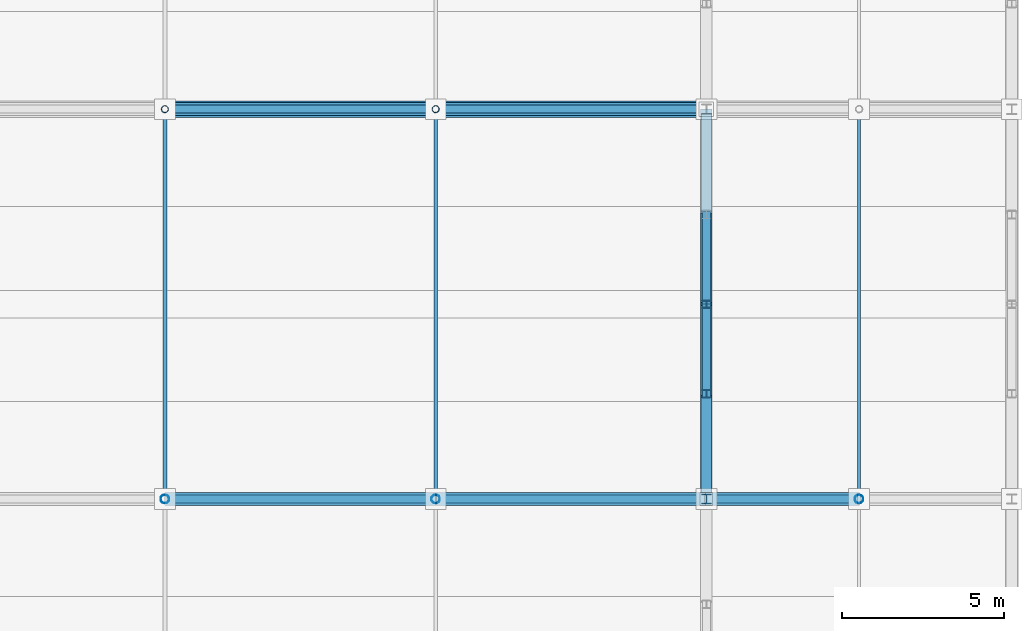
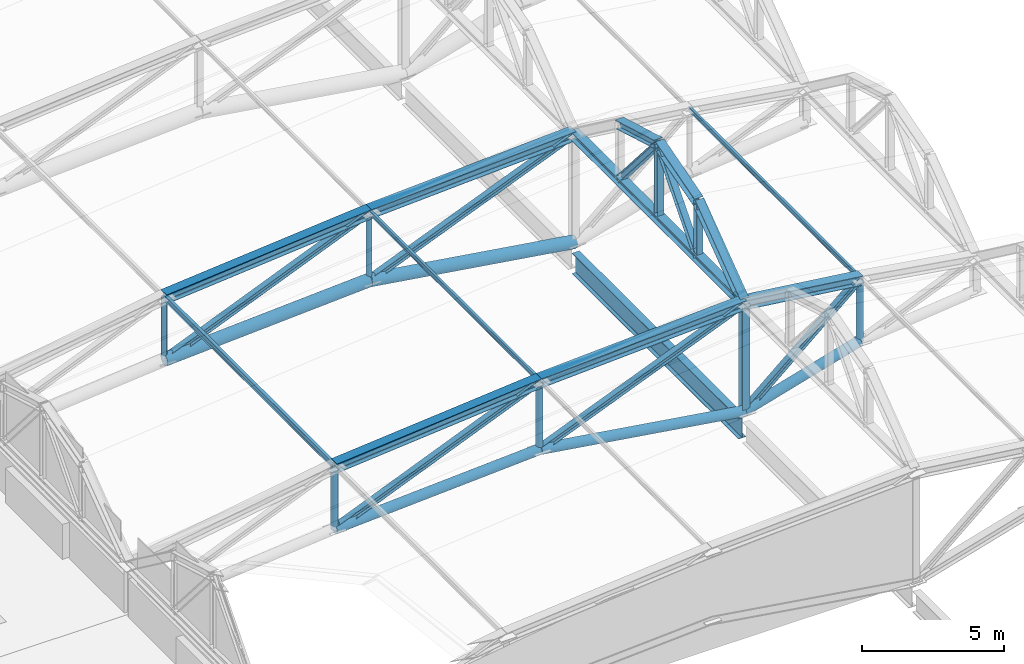
# One storey, part 14 of 117: 32 members, 1 beam.
"""IFC4 building model written with IfcOpenShell, lengths in metres."""

from ifc_helpers import new_model, si_unit, direction, frame, origin, origin_2d, place, context, subcontext, project, spatial, hollow_circle, i_section, extrude, material, material_profile, profile_set, type_object, element, save


model = new_model("IFC4")

# Units and contexts
model_context = context("Model", 3, precision=1e-05, world=origin(), true_north=direction((0.0, 1.0)))
body_context = subcontext(model_context, "Body", "Model", "MODEL_VIEW")
ifc_project = project(units=[si_unit("LENGTHUNIT", "METRE"), si_unit("AREAUNIT", "SQUARE_METRE"), si_unit("VOLUMEUNIT", "CUBIC_METRE"), si_unit("PLANEANGLEUNIT", "RADIAN"), si_unit("MASSUNIT", "GRAM", prefix="KILO")], contexts=[model_context])

# Site, building, storey
site_placement = place(None, origin())
site = spatial("IfcSite", under=ifc_project, at=site_placement, CompositionType="ELEMENT")
building_placement = place(site_placement, origin())
building = spatial("IfcBuilding", under=site, at=building_placement, Name="Kazenohara Klinker Stadium", CompositionType="ELEMENT")
storey_placement = place(building_placement, frame((0.0, 0.0, 31.199951171875)))
storey = spatial("IfcBuildingStorey", under=building, at=storey_placement, Name="RF", CompositionType="ELEMENT", Elevation=31.199951171875)

# Members
ifc_material = material(Name="Steel S355", Category="steel")
ifc_material_profile_1 = material_profile(ifc_material, i_section(OverallWidth=0.25, OverallDepth=0.25, WebThickness=0.009033203125, FlangeThickness=0.013916015625, FilletRadius=0.012939453125, at=origin_2d()), Name="H-250x250x9x14")
ifc_profile_set_1 = profile_set([ifc_material_profile_1], Name="Steel S355")
member_type_1 = type_object("IfcMemberType", Name="MEM-BRC02", PredefinedType="BRACE", material=ifc_profile_set_1)
member_1_placement = place(storey_placement, frame((32.333251953125, 60.0, 0.75), z_axis=(0.923953834256, 0.0, 0.382504002808), x_axis=(0.0, 1.0, 0.0)))
element("IfcMember", 1, at=member_1_placement, inside=storey, type_object=member_type_1, Name="ROOF TRUSS RT-W02 web diagonal 2", PredefinedType="BRACE", context=body_context, shape_type="SweptSolid", body=[
    extrude(i_section(OverallWidth=0.25, OverallDepth=0.25, WebThickness=0.009033203125, FlangeThickness=0.013916015625, FilletRadius=0.012939453125, at=origin_2d()), origin(), (0.0, 0.0, 1.0), 9.019287109375),
])
member_2_placement = place(storey_placement, frame((40.666748046875, 60.0, 1.25), z_axis=(0.925893541001, 0.0, 0.377784529503), x_axis=(0.0, 1.0, 0.0)))
element("IfcMember", 2, at=member_2_placement, inside=storey, type_object=member_type_1, Name="ROOF TRUSS RT-W02 web diagonal 3", PredefinedType="BRACE", context=body_context, shape_type="SweptSolid", body=[
    extrude(i_section(OverallWidth=0.25, OverallDepth=0.25, WebThickness=0.009033203125, FlangeThickness=0.013916015625, FilletRadius=0.012939453125, at=origin_2d()), origin(), (0.0, 0.0, 1.0), 9.000244140625),
])
member_3_placement = place(storey_placement, frame((49.0, 60.0, -0.02001953125), z_axis=(0.755945561544, 0.0, 0.65463448426), x_axis=(0.0, 1.0, 0.0)))
element("IfcMember", 3, at=member_3_placement, inside=storey, type_object=member_type_1, Name="ROOF TRUSS RT-W02 web diagonal 4", PredefinedType="BRACE", context=body_context, shape_type="SweptSolid", body=[
    extrude(i_section(OverallWidth=0.25, OverallDepth=0.25, WebThickness=0.009033203125, FlangeThickness=0.013916015625, FilletRadius=0.012939453125, at=origin_2d()), origin(), (0.0, 0.0, 1.0), 6.21728515625),
])
member_4_placement = place(storey_placement, frame((32.333251953125, 72.0, 0.75), z_axis=(0.923953834256, 0.0, 0.382504002808), x_axis=(0.0, 1.0, 0.0)))
element("IfcMember", 4, at=member_4_placement, inside=storey, type_object=member_type_1, Name="ROOF TRUSS RT-W03 web diagonal 2", PredefinedType="BRACE", context=body_context, shape_type="SweptSolid", body=[
    extrude(i_section(OverallWidth=0.25, OverallDepth=0.25, WebThickness=0.009033203125, FlangeThickness=0.013916015625, FilletRadius=0.012939453125, at=origin_2d()), origin(), (0.0, 0.0, 1.0), 9.019287109375),
])
member_5_placement = place(storey_placement, frame((40.666748046875, 72.0, 1.25), z_axis=(0.925893541001, 0.0, 0.377784529503), x_axis=(0.0, 1.0, 0.0)))
element("IfcMember", 5, at=member_5_placement, inside=storey, type_object=member_type_1, Name="ROOF TRUSS RT-W03 web diagonal 3", PredefinedType="BRACE", context=body_context, shape_type="SweptSolid", body=[
    extrude(i_section(OverallWidth=0.25, OverallDepth=0.25, WebThickness=0.009033203125, FlangeThickness=0.013916015625, FilletRadius=0.012939453125, at=origin_2d()), origin(), (0.0, 0.0, 1.0), 9.000244140625),
])
ifc_material_profile_2 = material_profile(ifc_material, i_section(OverallWidth=0.39990234375, OverallDepth=0.39990234375, WebThickness=0.012939453125, FlangeThickness=0.02099609375, FilletRadius=0.02197265625, at=origin_2d()), Name="H-400x400x13x21")
ifc_profile_set_2 = profile_set([ifc_material_profile_2], Name="Steel S355")
member_type_2 = type_object("IfcMemberType", Name="MEM-CHD01", PredefinedType="CHORD", material=ifc_profile_set_2)
member_6_placement = place(storey_placement, frame((32.333251953125, 60.0, 3.449951171875), z_axis=(0.995974595139, 0.0, 0.08963596286), x_axis=(0.0, 1.0, 0.0)))
element("IfcMember", 6, at=member_6_placement, inside=storey, type_object=member_type_2, Name="ROOF TRUSS RT-W02 top arched chord 2", PredefinedType="CHORD", context=body_context, shape_type="SweptSolid", body=[
    extrude(i_section(OverallWidth=0.39990234375, OverallDepth=0.39990234375, WebThickness=0.012939453125, FlangeThickness=0.02099609375, FilletRadius=0.02197265625, at=origin_2d()), origin(), (0.0, 0.0, 1.0), 8.3671875),
])
member_7_placement = place(storey_placement, frame((40.666748046875, 60.0, 4.199951171875), z_axis=(0.99854389216, 0.0, 0.053945300359), x_axis=(0.0, 1.0, 0.0)))
element("IfcMember", 7, at=member_7_placement, inside=storey, type_object=member_type_2, Name="ROOF TRUSS RT-W02 top arched chord 3", PredefinedType="CHORD", context=body_context, shape_type="SweptSolid", body=[
    extrude(i_section(OverallWidth=0.39990234375, OverallDepth=0.39990234375, WebThickness=0.012939453125, FlangeThickness=0.02099609375, FilletRadius=0.02197265625, at=origin_2d()), origin(), (0.0, 0.0, 1.0), 8.345458984375),
])
member_8_placement = place(storey_placement, frame((49.0, 60.0, 4.650146484375), z_axis=(0.99194702514, 0.0, -0.126653461524), x_axis=(0.0, 1.0, 0.0)))
element("IfcMember", 8, at=member_8_placement, inside=storey, type_object=member_type_2, Name="ROOF TRUSS RT-W02 top arched chord 4", PredefinedType="CHORD", context=body_context, shape_type="SweptSolid", body=[
    extrude(i_section(OverallWidth=0.39990234375, OverallDepth=0.39990234375, WebThickness=0.012939453125, FlangeThickness=0.02099609375, FilletRadius=0.02197265625, at=origin_2d()), origin(), (0.0, 0.0, 1.0), 4.738037109375),
])
member_9_placement = place(storey_placement, frame((32.333251953125, 72.0, 3.449951171875), z_axis=(0.995974595139, 0.0, 0.08963596286), x_axis=(0.0, 1.0, 0.0)))
element("IfcMember", 9, at=member_9_placement, inside=storey, type_object=member_type_2, Name="ROOF TRUSS RT-W03 top arched chord 2", PredefinedType="CHORD", context=body_context, shape_type="SweptSolid", body=[
    extrude(i_section(OverallWidth=0.39990234375, OverallDepth=0.39990234375, WebThickness=0.012939453125, FlangeThickness=0.02099609375, FilletRadius=0.02197265625, at=origin_2d()), origin(), (0.0, 0.0, 1.0), 8.3671875),
])
member_10_placement = place(storey_placement, frame((40.666748046875, 72.0, 4.199951171875), z_axis=(0.99854389216, 0.0, 0.053945300359), x_axis=(0.0, 1.0, 0.0)))
element("IfcMember", 10, at=member_10_placement, inside=storey, type_object=member_type_2, Name="ROOF TRUSS RT-W03 top arched chord 3", PredefinedType="CHORD", context=body_context, shape_type="SweptSolid", body=[
    extrude(i_section(OverallWidth=0.39990234375, OverallDepth=0.39990234375, WebThickness=0.012939453125, FlangeThickness=0.02099609375, FilletRadius=0.02197265625, at=origin_2d()), origin(), (0.0, 0.0, 1.0), 8.345458984375),
])
ifc_material_profile_3 = material_profile(ifc_material, i_section(OverallWidth=0.35009765625, OverallDepth=0.35009765625, WebThickness=0.011962890625, FlangeThickness=0.01904296875, FilletRadius=0.012939453125, at=origin_2d()), Name="H-350x350x12x19")
ifc_profile_set_3 = profile_set([ifc_material_profile_3], Name="Steel S355")
member_type_3 = type_object("IfcMemberType", Name="MEM-CHD02", PredefinedType="CHORD", material=ifc_profile_set_3)
member_11_placement = place(storey_placement, frame((49.0, 60.0, 4.650146484375), z_axis=(0.0, 1.0, 0.0), x_axis=(-1.0, 0.0, 0.0)))
element("IfcMember", 11, at=member_11_placement, inside=storey, type_object=member_type_3, Name="Barrel arch tie chord TC02 W-02-N3", PredefinedType="CHORD", context=body_context, shape_type="SweptSolid", body=[
    extrude(i_section(OverallWidth=0.35009765625, OverallDepth=0.35009765625, WebThickness=0.011962890625, FlangeThickness=0.01904296875, FilletRadius=0.012939453125, at=origin_2d()), origin(), (0.0, 0.0, 1.0), 12.0),
])
member_12_placement = place(storey_placement, frame((49.0, 60.0, 4.650146484375), z_axis=(0.0, 0.803567919639, 0.595213069856), x_axis=(-1.0, 0.0, 0.0)))
element("IfcMember", 12, at=member_12_placement, inside=storey, type_object=member_type_3, Name="Barrel arch top rib TC02 W-02-N3-S1", PredefinedType="CHORD", context=body_context, shape_type="SweptSolid", body=[
    extrude(i_section(OverallWidth=0.35009765625, OverallDepth=0.35009765625, WebThickness=0.011962890625, FlangeThickness=0.01904296875, FilletRadius=0.012939453125, at=origin_2d()), origin(), (0.0, 0.0, 1.0), 4.031982421875),
])
for number, where, z_axis, x_axis, name in (
    (13, (49.0, 63.239990234375, 7.050048828125), (0.0, 0.960462085918, 0.27841081429), (-1.0, 0.0, 0.0), "Barrel arch top rib TC02 W-02-N3-S2"),
    (14, (49.0, 66.0, 7.85009765625), (0.0, 0.960462085918, -0.27841081429), (-1.0, 0.0, 0.0), "Barrel arch top rib TC02 W-02-N3-S3"),
):
    element("IfcMember", number, at=place(storey_placement, frame(where, z_axis=z_axis, x_axis=x_axis)), inside=storey, type_object=member_type_3, Name=name, PredefinedType="CHORD", context=body_context, shape_type="SweptSolid", body=[
        extrude(i_section(OverallWidth=0.35009765625, OverallDepth=0.35009765625, WebThickness=0.011962890625, FlangeThickness=0.01904296875, FilletRadius=0.012939453125, at=origin_2d()), origin(), (0.0, 0.0, 1.0), 2.87353515625),
    ])
ifc_material_profile_4 = material_profile(ifc_material, hollow_circle(Radius=0.203125, WallThickness=0.011962890625, at=origin_2d()), Name="CHS-406.4x12")
ifc_profile_set_4 = profile_set([ifc_material_profile_4], Name="Steel S355")
member_type_4 = type_object("IfcMemberType", Name="MEM-CHD03", PredefinedType="CHORD", material=ifc_profile_set_4)
member_13_placement = place(storey_placement, frame((32.333251953125, 60.0, 0.75), z_axis=(0.998204915398, 0.0, 0.059891125175), x_axis=(0.0, 1.0, 0.0)))
element("IfcMember", 15, at=member_13_placement, inside=storey, type_object=member_type_4, Name="ROOF TRUSS RT-W02 bottom arched chord 2", PredefinedType="CHORD", context=body_context, shape_type="SweptSolid", body=[
    extrude(hollow_circle(Radius=0.203125, WallThickness=0.011962890625, at=origin_2d()), origin(), (0.0, 0.0, 1.0), 8.348388671875),
])
member_14_placement = place(storey_placement, frame((40.666748046875, 60.0, 1.25), z_axis=(0.988585006916, 0.0, -0.15066414338), x_axis=(0.0, 1.0, 0.0)))
element("IfcMember", 16, at=member_14_placement, inside=storey, type_object=member_type_4, Name="ROOF TRUSS RT-W02 bottom arched chord 3", PredefinedType="CHORD", context=body_context, shape_type="SweptSolid", body=[
    extrude(hollow_circle(Radius=0.203125, WallThickness=0.011962890625, at=origin_2d()), origin(), (0.0, 0.0, 1.0), 8.429443359375),
])
member_15_placement = place(storey_placement, frame((49.0, 60.0, -0.02001953125), z_axis=(0.960038530088, 0.0, 0.279867863012), x_axis=(0.0, 1.0, 0.0)))
element("IfcMember", 17, at=member_15_placement, inside=storey, type_object=member_type_4, Name="ROOF TRUSS RT-W02 bottom arched chord 4", PredefinedType="CHORD", context=body_context, shape_type="SweptSolid", body=[
    extrude(hollow_circle(Radius=0.203125, WallThickness=0.011962890625, at=origin_2d()), origin(), (0.0, 0.0, 1.0), 4.8955078125),
])
ifc_material_profile_5 = material_profile(ifc_material, hollow_circle(Radius=0.25390625, WallThickness=0.01611328125, at=origin_2d()), Name="CHS-508.0x16")
ifc_profile_set_5 = profile_set([ifc_material_profile_5], Name="Steel S355")
member_type_5 = type_object("IfcMemberType", Name="MEM-CHD04", PredefinedType="CHORD", material=ifc_profile_set_5)
member_16_placement = place(storey_placement, frame((32.333251953125, 72.0, 0.75), z_axis=(0.998204915398, 0.0, 0.059891125175), x_axis=(0.0, 1.0, 0.0)))
element("IfcMember", 18, at=member_16_placement, inside=storey, type_object=member_type_5, Name="ROOF TRUSS RT-W03 bottom arched chord 2", PredefinedType="CHORD", context=body_context, shape_type="SweptSolid", body=[
    extrude(hollow_circle(Radius=0.25390625, WallThickness=0.01611328125, at=origin_2d()), origin(), (0.0, 0.0, 1.0), 8.348388671875),
])
member_17_placement = place(storey_placement, frame((40.666748046875, 72.0, 1.25), z_axis=(0.988585006916, 0.0, -0.15066414338), x_axis=(0.0, 1.0, 0.0)))
element("IfcMember", 19, at=member_17_placement, inside=storey, type_object=member_type_5, Name="ROOF TRUSS RT-W03 bottom arched chord 3", PredefinedType="CHORD", context=body_context, shape_type="SweptSolid", body=[
    extrude(hollow_circle(Radius=0.25390625, WallThickness=0.01611328125, at=origin_2d()), origin(), (0.0, 0.0, 1.0), 8.429443359375),
])
ifc_material_profile_6 = material_profile(ifc_material, i_section(OverallWidth=0.125, OverallDepth=0.25, WebThickness=0.006103515625, FlangeThickness=0.009033203125, FilletRadius=0.008056640625, at=origin_2d()), Name="H-250x125x6x9")
ifc_profile_set_6 = profile_set([ifc_material_profile_6], Name="Steel S355")
member_type_6 = type_object("IfcMemberType", Name="MEM-PUR01", PredefinedType="PURLIN", material=ifc_profile_set_6)
member_18_placement = place(storey_placement, frame((32.333251953125, 60.0, 3.469970703125), z_axis=(0.0, 1.0, 0.0), x_axis=(-1.0, 0.0, 0.0)))
element("IfcMember", 20, at=member_18_placement, inside=storey, type_object=member_type_6, Name="Canopy valley tie purlin PR01 W-02-N1", PredefinedType="PURLIN", context=body_context, shape_type="SweptSolid", body=[
    extrude(i_section(OverallWidth=0.125, OverallDepth=0.25, WebThickness=0.006103515625, FlangeThickness=0.009033203125, FilletRadius=0.008056640625, at=origin_2d()), origin(), (0.0, 0.0, 1.0), 12.0),
])
ifc_material_profile_7 = material_profile(ifc_material, i_section(OverallWidth=0.10009765625, OverallDepth=0.199951171875, WebThickness=0.005615234375, FlangeThickness=0.008056640625, FilletRadius=0.008056640625, at=origin_2d()), Name="H-200x100x5.5x8")
ifc_profile_set_7 = profile_set([ifc_material_profile_7], Name="Steel S355")
member_type_7 = type_object("IfcMemberType", Name="MEM-PUR02", PredefinedType="PURLIN", material=ifc_profile_set_7)
for number, where, z_axis, x_axis, name in (
    (21, (40.666748046875, 60.0, 4.219970703125), (0.0, 1.0, 0.0), (-1.0, 0.0, 0.0), "Canopy valley tie purlin PR02 W-02-N2"),
    (22, (53.699951171875, 60.0, 4.070068359375), (0.0, 1.0, 0.0), (-1.0, 0.0, 0.0), "Canopy valley tie purlin PR02 W-02-N4"),
):
    element("IfcMember", number, at=place(storey_placement, frame(where, z_axis=z_axis, x_axis=x_axis)), inside=storey, type_object=member_type_7, Name=name, PredefinedType="PURLIN", context=body_context, shape_type="SweptSolid", body=[
        extrude(i_section(OverallWidth=0.10009765625, OverallDepth=0.199951171875, WebThickness=0.005615234375, FlangeThickness=0.008056640625, FilletRadius=0.008056640625, at=origin_2d()), origin(), (0.0, 0.0, 1.0), 12.0),
    ])
ifc_material_profile_8 = material_profile(ifc_material, i_section(OverallWidth=0.300048828125, OverallDepth=0.300048828125, WebThickness=0.010009765625, FlangeThickness=0.014892578125, FilletRadius=0.012939453125, at=origin_2d()), Name="H-300x300x10x15")
ifc_profile_set_8 = profile_set([ifc_material_profile_8], Name="Steel S355")
member_type_8 = type_object("IfcMemberType", Name="MEM-STR01", PredefinedType="STRUT", material=ifc_profile_set_8)
member_19_placement = place(storey_placement, frame((49.0, 60.0, -0.02001953125), z_axis=(0.0, 0.0, 1.0), x_axis=(1.0, 0.0, 0.0)))
element("IfcMember", 23, at=member_19_placement, inside=storey, type_object=member_type_8, Name="ROOF TRUSS RT-W02 web post 4", PredefinedType="STRUT", context=body_context, shape_type="SweptSolid", body=[
    extrude(i_section(OverallWidth=0.300048828125, OverallDepth=0.300048828125, WebThickness=0.010009765625, FlangeThickness=0.014892578125, FilletRadius=0.012939453125, at=origin_2d()), origin(), (0.0, 0.0, 1.0), 4.670166015625),
])
ifc_material_profile_9 = material_profile(ifc_material, i_section(OverallWidth=0.25, OverallDepth=0.25, WebThickness=0.009033203125, FlangeThickness=0.013916015625, FilletRadius=0.012939453125, at=origin_2d()), Name="H-250x250x9x14")
ifc_profile_set_9 = profile_set([ifc_material_profile_9], Name="Steel S355")
member_type_9 = type_object("IfcMemberType", Name="MEM-STR02", PredefinedType="STRUT", material=ifc_profile_set_9)
member_20_placement = place(storey_placement, frame((49.0, 63.239990234375, 4.650146484375), z_axis=(0.0, 0.0, 1.0), x_axis=(1.0, 0.0, 0.0)))
element("IfcMember", 24, at=member_20_placement, inside=storey, type_object=member_type_9, Name="Barrel arch web post TS02 W-02-N3-P1", PredefinedType="STRUT", context=body_context, shape_type="SweptSolid", body=[
    extrude(i_section(OverallWidth=0.25, OverallDepth=0.25, WebThickness=0.009033203125, FlangeThickness=0.013916015625, FilletRadius=0.012939453125, at=origin_2d()), origin(), (0.0, 0.0, 1.0), 2.39990234375),
])
member_21_placement = place(storey_placement, frame((49.0, 66.0, 4.650146484375), z_axis=(0.0, 0.0, 1.0), x_axis=(1.0, 0.0, 0.0)))
element("IfcMember", 25, at=member_21_placement, inside=storey, type_object=member_type_9, Name="Barrel arch web post TS02 W-02-N3-P2", PredefinedType="STRUT", context=body_context, shape_type="SweptSolid", body=[
    extrude(i_section(OverallWidth=0.25, OverallDepth=0.25, WebThickness=0.009033203125, FlangeThickness=0.013916015625, FilletRadius=0.012939453125, at=origin_2d()), origin(), (0.0, 0.0, 1.0), 3.199951171875),
])
for number, where, z_axis, x_axis, name in (
    (26, (49.0, 63.239990234375, 4.650146484375), (0.0, 0.653133887971, 0.757242447558), (-1.0, 0.0, 0.0), "Barrel arch web diagonal TS02 W-02-N3-D1"),
    (27, (49.0, 68.760009765625, 4.650146484375), (0.0, -0.653133887971, 0.757242447558), (1.0, 0.0, 0.0), "Barrel arch web diagonal TS02 W-02-N3-D2"),
):
    element("IfcMember", number, at=place(storey_placement, frame(where, z_axis=z_axis, x_axis=x_axis)), inside=storey, type_object=member_type_9, Name=name, PredefinedType="STRUT", context=body_context, shape_type="SweptSolid", body=[
        extrude(i_section(OverallWidth=0.25, OverallDepth=0.25, WebThickness=0.009033203125, FlangeThickness=0.013916015625, FilletRadius=0.012939453125, at=origin_2d()), origin(), (0.0, 0.0, 1.0), 4.225830078125),
    ])
ifc_material_profile_10 = material_profile(ifc_material, hollow_circle(Radius=0.1337890625, WallThickness=0.009033203125, at=origin_2d()), Name="CHS-267.4x9")
ifc_profile_set_10 = profile_set([ifc_material_profile_10], Name="Steel S355")
member_type_10 = type_object("IfcMemberType", Name="MEM-STR03", PredefinedType="STRUT", material=ifc_profile_set_10)
member_22_placement = place(storey_placement, frame((32.333251953125, 60.0, 0.75), z_axis=(0.0, 0.0, 1.0), x_axis=(1.0, 0.0, 0.0)))
element("IfcMember", 28, at=member_22_placement, inside=storey, type_object=member_type_10, Name="ROOF TRUSS RT-W02 web post 2", PredefinedType="STRUT", context=body_context, shape_type="SweptSolid", body=[
    extrude(hollow_circle(Radius=0.1337890625, WallThickness=0.009033203125, at=origin_2d()), origin(), (0.0, 0.0, 1.0), 2.699951171875),
])
member_23_placement = place(storey_placement, frame((40.666748046875, 60.0, 1.25), z_axis=(0.0, 0.0, 1.0), x_axis=(1.0, 0.0, 0.0)))
element("IfcMember", 29, at=member_23_placement, inside=storey, type_object=member_type_10, Name="ROOF TRUSS RT-W02 web post 3", PredefinedType="STRUT", context=body_context, shape_type="SweptSolid", body=[
    extrude(hollow_circle(Radius=0.1337890625, WallThickness=0.009033203125, at=origin_2d()), origin(), (0.0, 0.0, 1.0), 2.949951171875),
])
member_24_placement = place(storey_placement, frame((53.699951171875, 60.0, 1.35009765625), z_axis=(0.0, 0.0, 1.0), x_axis=(1.0, 0.0, 0.0)))
element("IfcMember", 30, at=member_24_placement, inside=storey, type_object=member_type_10, Name="ROOF TRUSS RT-W02 web post 5", PredefinedType="STRUT", context=body_context, shape_type="SweptSolid", body=[
    extrude(hollow_circle(Radius=0.1337890625, WallThickness=0.009033203125, at=origin_2d()), origin(), (0.0, 0.0, 1.0), 2.699951171875),
])
ifc_material_profile_11 = material_profile(ifc_material, hollow_circle(Radius=0.108154296875, WallThickness=0.008056640625, at=origin_2d()), Name="CHS-216.3x8")
ifc_profile_set_11 = profile_set([ifc_material_profile_11], Name="Steel S355")
member_type_11 = type_object("IfcMemberType", Name="MEM-STR04", PredefinedType="STRUT", material=ifc_profile_set_11)
member_25_placement = place(storey_placement, frame((32.333251953125, 72.0, 0.75), z_axis=(0.0, 0.0, 1.0), x_axis=(1.0, 0.0, 0.0)))
element("IfcMember", 31, at=member_25_placement, inside=storey, type_object=member_type_11, Name="ROOF TRUSS RT-W03 web post 2", PredefinedType="STRUT", context=body_context, shape_type="SweptSolid", body=[
    extrude(hollow_circle(Radius=0.108154296875, WallThickness=0.008056640625, at=origin_2d()), origin(), (0.0, 0.0, 1.0), 2.699951171875),
])
member_26_placement = place(storey_placement, frame((40.666748046875, 72.0, 1.25), z_axis=(0.0, 0.0, 1.0), x_axis=(1.0, 0.0, 0.0)))
element("IfcMember", 32, at=member_26_placement, inside=storey, type_object=member_type_11, Name="ROOF TRUSS RT-W03 web post 3", PredefinedType="STRUT", context=body_context, shape_type="SweptSolid", body=[
    extrude(hollow_circle(Radius=0.108154296875, WallThickness=0.008056640625, at=origin_2d()), origin(), (0.0, 0.0, 1.0), 2.949951171875),
])

# Beam
ifc_material_profile_12 = material_profile(ifc_material, i_section(OverallWidth=0.300048828125, OverallDepth=0.89990234375, WebThickness=0.01611328125, FlangeThickness=0.028076171875, FilletRadius=0.02197265625, at=origin_2d()), Name="H-900x300x16x28")
ifc_profile_set_12 = profile_set([ifc_material_profile_12], Name="Steel S355")
beam_type = type_object("IfcBeamType", Name="RING-RB01", PredefinedType="USERDEFINED", material=ifc_profile_set_12)
beam_placement = place(storey_placement, frame((49.0, 60.139892578125, -0.820068359375), z_axis=(0.0, 1.0, 0.0), x_axis=(-1.0, 0.0, 0.0)))
element("IfcBeam", 33, at=beam_placement, inside=storey, type_object=beam_type, Name="Roof ring beam RB01 W-IN F-G", ObjectType="RING BEAM", PredefinedType="USERDEFINED", context=body_context, shape_type="SweptSolid", body=[
    extrude(i_section(OverallWidth=0.300048828125, OverallDepth=0.89990234375, WebThickness=0.01611328125, FlangeThickness=0.028076171875, FilletRadius=0.02197265625, at=origin_2d()), origin(), (0.0, 0.0, 1.0), 11.72021484375),
])

save(model, "model.ifc")
